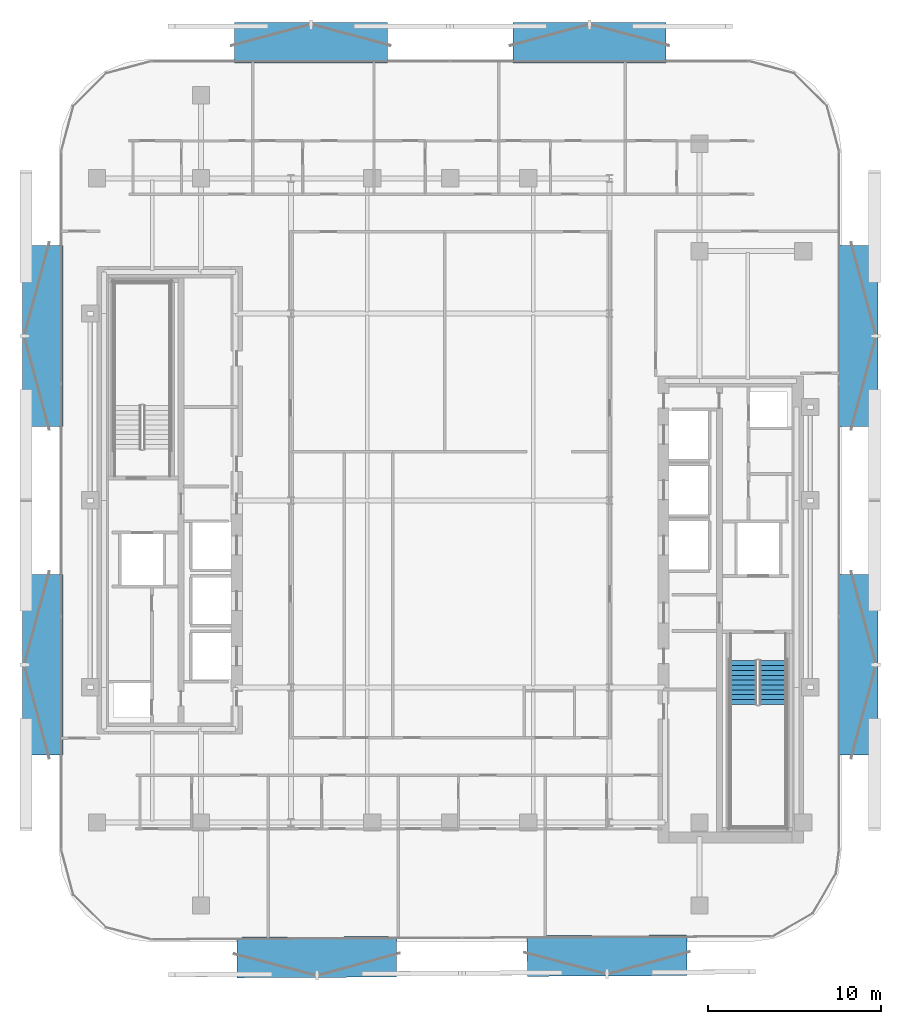
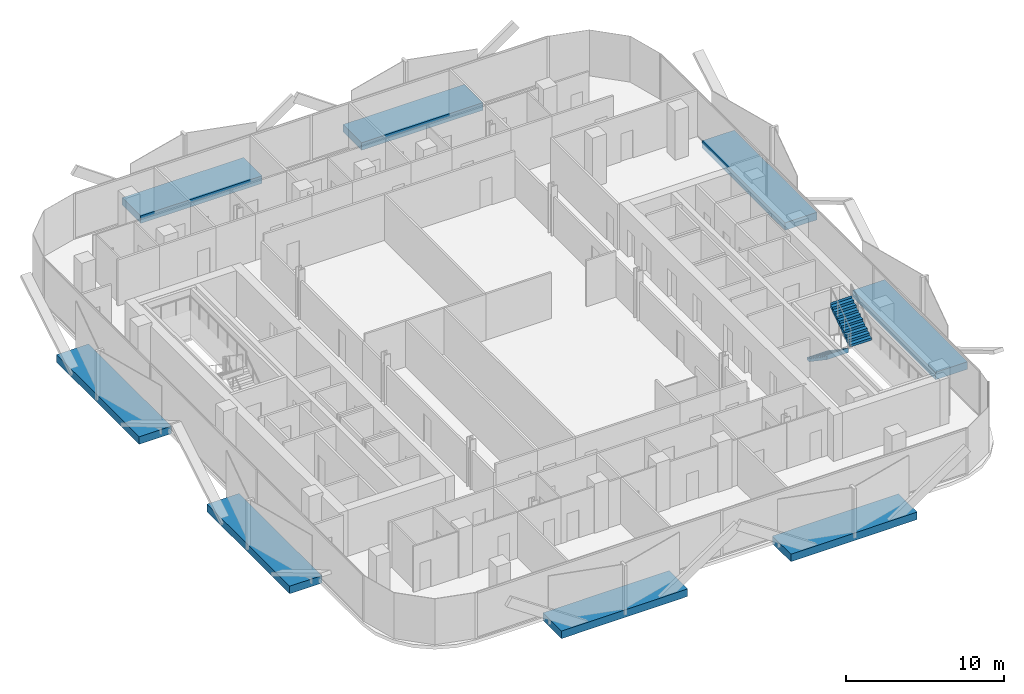
# One storey, part 8 of 17: 8 discrete accessories, 2 stair flights, 1 element without a shape of its own.
"""IFC4 building model written with IfcOpenShell, lengths in metres."""

from ifc_helpers import new_model, si_unit, direction, frame, origin, origin_2d, place, context, subcontext, project, spatial, polyline, rectangle, outline, extrude, material, layer, layer_set, type_object, element, aggregate, save


model = new_model("IFC4")

# Units and contexts
model_context = context("Model", 3, precision=1e-05, world=origin(), true_north=direction((0.0, 1.0)))
body_context = subcontext(model_context, "Body", "Model", "MODEL_VIEW")
ifc_project = project(units=[si_unit("LENGTHUNIT", "METRE"), si_unit("AREAUNIT", "SQUARE_METRE"), si_unit("VOLUMEUNIT", "CUBIC_METRE"), si_unit("PLANEANGLEUNIT", "RADIAN"), si_unit("MASSUNIT", "GRAM", prefix="KILO")], contexts=[model_context])

# Site, building, storey
site_placement = place(None, origin())
site = spatial("IfcSite", under=ifc_project, at=site_placement, CompositionType="ELEMENT")
building_placement = place(site_placement, origin())
building = spatial("IfcBuilding", under=site, at=building_placement, Name="Khairoan Windgate Tower", CompositionType="ELEMENT")
storey_placement = place(building_placement, frame((0.0, 0.0, 191.60009765625)))
storey = spatial("IfcBuildingStorey", under=building, at=storey_placement, Name="L44", CompositionType="ELEMENT", Elevation=191.60009765625)

# Stair, stair flights
ifc_material_1 = material(Name="Concrete C40/50", Category="concrete")
stair_type = type_object("IfcStairType", Name="Tower Core Dog-Leg Stair ST-T1 1560mm", PredefinedType="HALF_TURN_STAIR", material=ifc_material_1)
stair_placement = place(storey_placement, origin())
stair = element("IfcStair", 1, at=stair_placement, inside=storey, type_object=stair_type, Name="L44 Stair ST1", PredefinedType="HALF_TURN_STAIR")
ifc_material_2 = material(Name="Concrete C40/50", Category="concrete")
ifc_layer = layer(ifc_material_2, 0.14990234375, Name="Concrete C40/50")
ifc_layer_set = layer_set([ifc_layer], Name="Concrete C40/50")
stair_flight_type = type_object("IfcStairFlightType", Name="Tower Core Stair Flight STF-1560", PredefinedType="STRAIGHT", material=ifc_layer_set)
stair_flight_1_placement = place(storey_placement, frame((16.929931640625, -9.260009765625, 0.0), z_axis=(0.0, 0.0, 1.0), x_axis=(0.0, -1.0, 0.0)))
stair_flight_1 = element("IfcStairFlight", 2, at=stair_flight_1_placement, type_object=stair_flight_type, Name="ST1 flight 1", NumberOfRisers=10, NumberOfTreads=9, PredefinedType="STRAIGHT", RiserHeight=0.19, TreadLength=0.28, context=body_context, shape_type="SweptSolid", body=[
    extrude(outline(polyline([(-0.00390625, 0.0), (-0.00390625, 0.18994140625), (0.0, 0.18994140625), (0.280029296875, 0.18994140625), (0.280029296875, 0.3798828125), (0.56005859375, 0.3798828125), (0.56005859375, 0.570068359375), (0.840087890625, 0.570068359375), (0.840087890625, 0.760009765625), (1.1201171875, 0.760009765625), (1.1201171875, 0.949951171875), (1.39990234375, 0.949951171875), (1.39990234375, 1.139892578125), (1.679931640625, 1.139892578125), (1.679931640625, 1.330078125), (1.9599609375, 1.330078125), (1.9599609375, 1.52001953125), (2.239990234375, 1.52001953125), (2.239990234375, 1.7099609375), (2.52001953125, 1.7099609375), (2.52001953125, 1.89990234375), (2.52392578125, 1.89990234375), (2.52392578125, 1.52880859375), (0.266845703125, 0.0), (-0.00390625, 0.0)])), frame((0.0, 0.780029296875, 0.0), z_axis=(0.0, -1.0, 0.0), x_axis=(1.0, 0.0, 0.0)), (0.0, 0.0, 1.0), 1.56005859375),
])
stair_flight_2_placement = place(storey_placement, frame((18.639892578125, -11.780029296875, 1.89990234375), z_axis=(0.0, 0.0, 1.0), x_axis=(0.0, 1.0, 0.0)))
stair_flight_2 = element("IfcStairFlight", 3, at=stair_flight_2_placement, type_object=stair_flight_type, Name="ST1 flight 2", NumberOfRisers=10, NumberOfTreads=9, PredefinedType="STRAIGHT", RiserHeight=0.19, TreadLength=0.28, context=body_context, shape_type="SweptSolid", body=[
    extrude(outline(polyline([(-0.00390625, 0.0), (-0.00390625, 0.18994140625), (0.0, 0.18994140625), (0.280029296875, 0.18994140625), (0.280029296875, 0.3798828125), (0.56005859375, 0.3798828125), (0.56005859375, 0.570068359375), (0.840087890625, 0.570068359375), (0.840087890625, 0.760009765625), (1.1201171875, 0.760009765625), (1.1201171875, 0.949951171875), (1.39990234375, 0.949951171875), (1.39990234375, 1.139892578125), (1.679931640625, 1.139892578125), (1.679931640625, 1.330078125), (1.9599609375, 1.330078125), (1.9599609375, 1.52001953125), (2.239990234375, 1.52001953125), (2.239990234375, 1.7099609375), (2.52001953125, 1.7099609375), (2.52001953125, 1.89990234375), (2.52392578125, 1.89990234375), (2.52392578125, 1.52880859375), (0.266845703125, 0.0), (-0.00390625, 0.0)])), frame((0.0, 0.780029296875, 0.0), z_axis=(0.0, -1.0, 0.0), x_axis=(1.0, 0.0, 0.0)), (0.0, 0.0, 1.0), 1.56005859375),
])
aggregate(stair, [stair_flight_1, stair_flight_2])

# Discrete accessories
ifc_material_3 = material(Name="Steel S355", Category="steel")
discrete_accessory_type = type_object("IfcDiscreteAccessoryType", Name="Solar Screen Outrigger Slab Bracket SSB-1", PredefinedType="BRACKET", material=ifc_material_3)
for number, where, z_axis, x_axis, name in (
    (4, (9.05908203125, -26.30029296875, -0.420166015625), (0.0, 0.0, 1.0), (-0.999988059021, -0.004886902454, 0.0), "L44 Solar Screen Outrigger Bracket 289"),
    (5, (-7.7041015625, -26.3828125, -0.420166015625), (0.0, 0.0, 1.0), (-0.999988059021, -0.004886902454, 0.0), "L44 Solar Screen Outrigger Bracket 290"),
):
    element("IfcDiscreteAccessory", number, at=place(storey_placement, frame(where, z_axis=z_axis, x_axis=x_axis)), inside=storey, type_object=discrete_accessory_type, Name=name, PredefinedType="BRACKET", context=body_context, shape_type="SweptSolid", body=[
        extrude(rectangle(XDim=9.219970703125, YDim=2.340087890625, at=origin_2d()), origin(), (0.0, 0.0, 1.0), 0.580078125),
    ])
for number, where, z_axis, x_axis, name in (
    (6, (-23.530029296875, -9.495361328125, -0.420166015625), (0.0, 0.0, 1.0), (0.0, 1.0, 0.0), "L44 Solar Screen Outrigger Bracket 291"),
    (7, (-23.530029296875, 9.495361328125, -0.420166015625), (0.0, 0.0, 1.0), (0.0, 1.0, 0.0), "L44 Solar Screen Outrigger Bracket 292"),
):
    element("IfcDiscreteAccessory", number, at=place(storey_placement, frame(where, z_axis=z_axis, x_axis=x_axis)), inside=storey, type_object=discrete_accessory_type, Name=name, PredefinedType="BRACKET", context=body_context, shape_type="SweptSolid", body=[
        extrude(rectangle(XDim=10.445068359375, YDim=2.340087890625, at=origin_2d()), origin(), (0.0, 0.0, 1.0), 0.580078125),
    ])
for number, where, z_axis, x_axis, name in (
    (8, (-8.04541015625, 26.429931640625, -0.420166015625), (0.0, 0.0, 1.0), (1.0, 0.0, 0.0), "L44 Solar Screen Outrigger Bracket 293"),
    (9, (8.04541015625, 26.429931640625, -0.420166015625), (0.0, 0.0, 1.0), (1.0, 0.0, 0.0), "L44 Solar Screen Outrigger Bracket 294"),
):
    element("IfcDiscreteAccessory", number, at=place(storey_placement, frame(where, z_axis=z_axis, x_axis=x_axis)), inside=storey, type_object=discrete_accessory_type, Name=name, PredefinedType="BRACKET", context=body_context, shape_type="SweptSolid", body=[
        extrude(rectangle(XDim=8.85009765625, YDim=2.340087890625, at=origin_2d()), origin(), (0.0, 0.0, 1.0), 0.580078125),
    ])
for number, where, z_axis, x_axis, name in (
    (10, (23.530029296875, 9.495361328125, -0.420166015625), (0.0, 0.0, 1.0), (0.0, -1.0, 0.0), "L44 Solar Screen Outrigger Bracket 295"),
    (11, (23.530029296875, -9.495361328125, -0.420166015625), (0.0, 0.0, 1.0), (0.0, -1.0, 0.0), "L44 Solar Screen Outrigger Bracket 296"),
):
    element("IfcDiscreteAccessory", number, at=place(storey_placement, frame(where, z_axis=z_axis, x_axis=x_axis)), inside=storey, type_object=discrete_accessory_type, Name=name, PredefinedType="BRACKET", context=body_context, shape_type="SweptSolid", body=[
        extrude(rectangle(XDim=10.445068359375, YDim=2.340087890625, at=origin_2d()), origin(), (0.0, 0.0, 1.0), 0.580078125),
    ])

save(model, "model.ifc")
